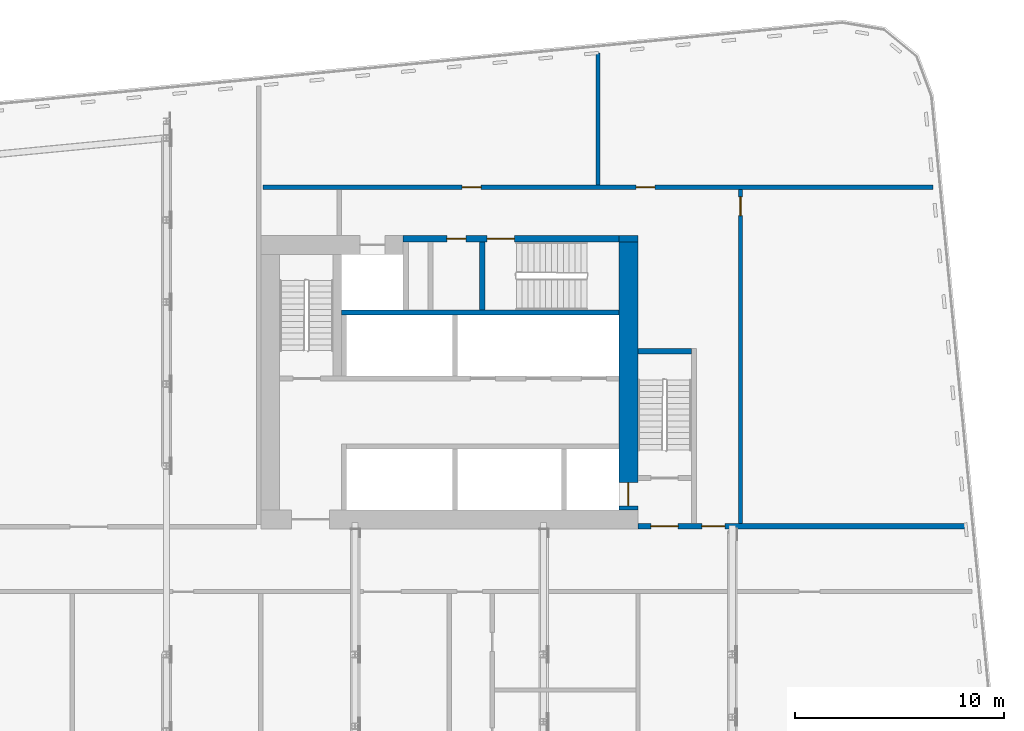
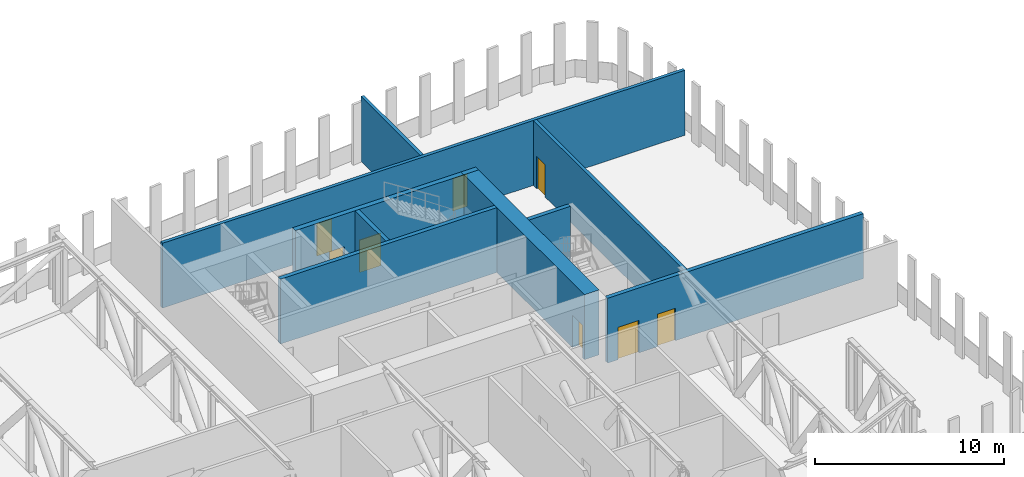
# One storey, part 11 of 22: 10 walls, 8 doors, 8 openings.
"""IFC4 building model written with IfcOpenShell, lengths in metres."""

from ifc_helpers import new_model, si_unit, direction, frame, frame_2d, origin, place, context, subcontext, project, spatial, rectangle, extrude, material, layer, layer_set, type_object, element, fill, save


model = new_model("IFC4")

# Units and contexts
model_context = context("Model", 3, precision=1e-05, world=origin(), true_north=direction((0.0, 1.0)))
body_context = subcontext(model_context, "Body", "Model", "MODEL_VIEW")
ifc_project = project(units=[si_unit("LENGTHUNIT", "METRE"), si_unit("AREAUNIT", "SQUARE_METRE"), si_unit("VOLUMEUNIT", "CUBIC_METRE"), si_unit("PLANEANGLEUNIT", "RADIAN"), si_unit("MASSUNIT", "GRAM", prefix="KILO")], contexts=[model_context])

# Site, building, storey
site_placement = place(None, origin())
site = spatial("IfcSite", under=ifc_project, at=site_placement, CompositionType="ELEMENT")
building_placement = place(site_placement, origin())
building = spatial("IfcBuilding", under=site, at=building_placement, Name="Kajstack Hotel Tower", CompositionType="ELEMENT")
storey_placement = place(building_placement, frame((0.0, 0.0, 150.39990234375)))
storey = spatial("IfcBuildingStorey", under=building, at=storey_placement, Name="L35", CompositionType="ELEMENT", Elevation=150.39990234375)

# Wall
ifc_material_1 = material(Name="Concrete C60/75", Category="concrete")
ifc_layer_1 = layer(ifc_material_1, 0.89990234375)
ifc_layer_set_1 = layer_set([ifc_layer_1], Name="Core wall 900")
wall_type_1 = type_object("IfcWallType", Name="Core wall 900", PredefinedType="SHEAR", material=ifc_layer_set_1)
wall_1_placement = place(storey_placement, frame((30.60009765625, 15.35009765625, 0.0), z_axis=(0.0, 0.0, 1.0), x_axis=(1.0, 0.0, 0.0)))
element("IfcWall", 1, at=wall_1_placement, inside=storey, type_object=wall_type_1, Name="Core wall E RSW", PredefinedType="SHEAR", context=body_context, shape_type="SweptSolid", body=[
    extrude(rectangle(XDim=0.89990234375, YDim=0.300048828125, at=frame_2d((0.449951171875, 0.0))), origin(), (0.0, 0.0, 1.0), 4.2001953125),
])

# Wall, opening, door
wall_2_placement = place(storey_placement, frame((31.050048828125, 2.39990234375, 0.0), z_axis=(0.0, 0.0, 1.0), x_axis=(0.0, 1.0, 0.0)))
wall_2 = element("IfcWall", 2, at=wall_2_placement, inside=storey, type_object=wall_type_1, Name="Core wall E RW", PredefinedType="SHEAR", context=body_context, shape_type="SweptSolid", body=[
    extrude(rectangle(XDim=12.800048828125, YDim=0.89990234375, at=frame_2d((6.39990234375, 0.0))), origin(), (0.0, 0.0, 1.0), 4.2001953125),
])
opening_1_placement = place(wall_2_placement, frame((0.199951171875, 0.0, 0.0)))
opening_1 = element("IfcOpeningElement", 3, at=opening_1_placement, cuts=wall_2, Name="Opening LD-FF2", PredefinedType="OPENING", context=body_context, shape_type="SweptSolid", body=[
    extrude(rectangle(XDim=1.10009765625, YDim=2.10009765625, at=frame_2d((0.550048828125, 1.050048828125))), frame((0.0, 0.4599609375, 0.0), z_axis=(0.0, -1.0, 0.0), x_axis=(1.0, 0.0, 0.0)), (0.0, 0.0, 1.0), 0.919921875),
])
ifc_material_2 = material(Name="Stainless steel", Category="steel")
door_type_1 = type_object("IfcDoorType", Name="Fire-fighting lift landing door 1100", OperationType="SLIDING_TO_LEFT", PredefinedType="DOOR", material=ifc_material_2)
door_1_placement = place(opening_1_placement, origin())
door_1 = element("IfcDoor", 4, at=door_1_placement, inside=storey, type_object=door_type_1, Name="Landing door FF2", OperationType="SLIDING_TO_LEFT", OverallHeight=2.10009765625, OverallWidth=1.10009765625, PredefinedType="DOOR", context=body_context, shape_type="SweptSolid", body=[
    extrude(rectangle(XDim=1.10009765625, YDim=2.10009765625, at=frame_2d((0.550048828125, 1.050048828125))), frame((0.0, 0.02490234375, 0.0), z_axis=(0.0, -1.0, 0.0), x_axis=(1.0, 0.0, 0.0)), (0.0, 0.0, 1.0), 0.050048828125),
])
fill(opening_1, door_1)

# Wall, openings, doors
ifc_material_3 = material(Name="Gypsum board on steel studs, mineral wool", Category="steel")
ifc_layer_2 = layer(ifc_material_3, 0.199951171875)
ifc_layer_set_2 = layer_set([ifc_layer_2], Name="Service partition 200")
wall_type_2 = type_object("IfcWallType", Name="Service partition 200", PredefinedType="PARTITIONING", material=ifc_layer_set_2)
wall_3_placement = place(storey_placement, frame((31.5, 1.625, 0.0), z_axis=(0.0, 0.0, 1.0), x_axis=(1.0, 0.0, 0.0)))
wall_3 = element("IfcWall", 5, at=wall_3_placement, inside=storey, type_object=wall_type_2, Name="Partition E SN", PredefinedType="PARTITIONING", context=body_context, shape_type="SweptSolid", body=[
    extrude(rectangle(XDim=15.650390625, YDim=0.25, at=frame_2d((7.8251953125, 0.0))), origin(), (0.0, 0.0, 1.0), 4.2001953125),
])
opening_2_placement = place(wall_3_placement, frame((0.625, 0.0, 0.0)))
opening_2 = element("IfcOpeningElement", 6, at=opening_2_placement, cuts=wall_3, Name="Opening 35E07", PredefinedType="OPENING", context=body_context, shape_type="SweptSolid", body=[
    extrude(rectangle(XDim=1.300048828125, YDim=2.10009765625, at=frame_2d((0.64990234375, 1.050048828125))), frame((0.0, 0.135009765625, 0.0), z_axis=(0.0, -1.0, 0.0), x_axis=(1.0, 0.0, 0.0)), (0.0, 0.0, 1.0), 0.27001953125),
])
opening_3_placement = place(wall_3_placement, frame((3.050048828125, 0.0, 0.0)))
opening_3 = element("IfcOpeningElement", 7, at=opening_3_placement, cuts=wall_3, Name="Opening 35E09", PredefinedType="OPENING", context=body_context, shape_type="SweptSolid", body=[
    extrude(rectangle(XDim=1.10009765625, YDim=2.10009765625, at=frame_2d((0.550048828125, 1.050048828125))), frame((0.0, 0.135009765625, 0.0), z_axis=(0.0, -1.0, 0.0), x_axis=(1.0, 0.0, 0.0)), (0.0, 0.0, 1.0), 0.27001953125),
])
ifc_material_4 = material(Name="Steel leaf, fire-rated", Category="steel")
door_type_2 = type_object("IfcDoorType", Name="Fire lobby door 1300", OperationType="SINGLE_SWING_LEFT", PredefinedType="DOOR", material=ifc_material_4)
door_2_placement = place(opening_2_placement, origin())
door_2 = element("IfcDoor", 8, at=door_2_placement, inside=storey, type_object=door_type_2, Name="Door 35E07", OperationType="SINGLE_SWING_LEFT", OverallHeight=2.10009765625, OverallWidth=1.300048828125, PredefinedType="DOOR", context=body_context, shape_type="SweptSolid", body=[
    extrude(rectangle(XDim=1.300048828125, YDim=2.10009765625, at=frame_2d((0.64990234375, 1.050048828125))), frame((0.0, 0.02490234375, 0.0), z_axis=(0.0, -1.0, 0.0), x_axis=(1.0, 0.0, 0.0)), (0.0, 0.0, 1.0), 0.050048828125),
])
fill(opening_2, door_2)
ifc_material_5 = material(Name="Timber leaf, fire-rated", Category="wood")
door_type_3 = type_object("IfcDoorType", Name="Service corridor door 1100", OperationType="SINGLE_SWING_LEFT", PredefinedType="DOOR", material=ifc_material_5)
door_3_placement = place(opening_3_placement, origin())
door_3 = element("IfcDoor", 9, at=door_3_placement, inside=storey, type_object=door_type_3, Name="Door 35E09", OperationType="SINGLE_SWING_LEFT", OverallHeight=2.10009765625, OverallWidth=1.10009765625, PredefinedType="DOOR", context=body_context, shape_type="SweptSolid", body=[
    extrude(rectangle(XDim=1.10009765625, YDim=2.10009765625, at=frame_2d((0.550048828125, 1.050048828125))), frame((0.0, 0.02490234375, 0.0), z_axis=(0.0, -1.0, 0.0), x_axis=(1.0, 0.0, 0.0)), (0.0, 0.0, 1.0), 0.050048828125),
])
fill(opening_3, door_3)

# Wall, opening, door
wall_4_placement = place(storey_placement, frame((36.39990234375, 1.75, 0.0), z_axis=(0.0, 0.0, 1.0), x_axis=(0.0, 1.0, 0.0)))
wall_4 = element("IfcWall", 10, at=wall_4_placement, inside=storey, type_object=wall_type_2, Name="Partition E WRE", PredefinedType="PARTITIONING", context=body_context, shape_type="SweptSolid", body=[
    extrude(rectangle(XDim=15.949951171875, YDim=0.199951171875, at=frame_2d((7.97509765625, 0.0))), origin(), (0.0, 0.0, 1.0), 4.2001953125),
])
opening_4_placement = place(wall_4_placement, frame((14.699951171875, 0.0, 0.0)))
opening_4 = element("IfcOpeningElement", 11, at=opening_4_placement, cuts=wall_4, Name="Opening 35E15", PredefinedType="OPENING", context=body_context, shape_type="SweptSolid", body=[
    extrude(rectangle(XDim=0.89990234375, YDim=2.10009765625, at=frame_2d((0.449951171875, 1.050048828125))), frame((0.0, 0.10986328125, 0.0), z_axis=(0.0, -1.0, 0.0), x_axis=(1.0, 0.0, 0.0)), (0.0, 0.0, 1.0), 0.219970703125),
])
door_type_4 = type_object("IfcDoorType", Name="Service door 900", OperationType="SINGLE_SWING_LEFT", PredefinedType="DOOR", material=ifc_material_5)
door_4_placement = place(opening_4_placement, origin())
door_4 = element("IfcDoor", 12, at=door_4_placement, inside=storey, type_object=door_type_4, Name="Door 35E15", OperationType="SINGLE_SWING_RIGHT", OverallHeight=2.10009765625, OverallWidth=0.89990234375, PredefinedType="DOOR", context=body_context, shape_type="SweptSolid", body=[
    extrude(rectangle(XDim=0.89990234375, YDim=2.10009765625, at=frame_2d((0.449951171875, 1.050048828125))), frame((0.0, 0.02490234375, 0.0), z_axis=(0.0, -1.0, 0.0), x_axis=(1.0, 0.0, 0.0)), (0.0, 0.0, 1.0), 0.050048828125),
])
fill(opening_4, door_4)

# Wall, openings, doors
wall_5_placement = place(storey_placement, frame((13.60009765625, 17.800048828125, 0.0), z_axis=(0.0, 0.0, 1.0), x_axis=(1.0, 0.0, 0.0)))
wall_5 = element("IfcWall", 13, at=wall_5_placement, inside=storey, type_object=wall_type_2, Name="Partition E SLN", PredefinedType="PARTITIONING", context=body_context, shape_type="SweptSolid", body=[
    extrude(rectangle(XDim=31.992919921875, YDim=0.199951171875, at=frame_2d((15.99658203125, 0.0))), origin(), (0.0, 0.0, 1.0), 4.2001953125),
])
opening_5_placement = place(wall_5_placement, frame((17.8125, 0.0, 0.0)))
opening_5 = element("IfcOpeningElement", 14, at=opening_5_placement, cuts=wall_5, Name="Opening 35E13", PredefinedType="OPENING", context=body_context, shape_type="SweptSolid", body=[
    extrude(rectangle(XDim=0.89990234375, YDim=2.10009765625, at=frame_2d((0.449951171875, 1.050048828125))), frame((0.0, 0.10986328125, 0.0), z_axis=(0.0, -1.0, 0.0), x_axis=(1.0, 0.0, 0.0)), (0.0, 0.0, 1.0), 0.219970703125),
])
opening_6_placement = place(wall_5_placement, frame((9.512451171875, 0.0, 0.0)))
opening_6 = element("IfcOpeningElement", 15, at=opening_6_placement, cuts=wall_5, Name="Opening 35E14", PredefinedType="OPENING", context=body_context, shape_type="SweptSolid", body=[
    extrude(rectangle(XDim=0.89990234375, YDim=2.10009765625, at=frame_2d((0.449951171875, 1.050048828125))), frame((0.0, 0.10986328125, 0.0), z_axis=(0.0, -1.0, 0.0), x_axis=(1.0, 0.0, 0.0)), (0.0, 0.0, 1.0), 0.219970703125),
])
door_5_placement = place(opening_5_placement, origin())
door_5 = element("IfcDoor", 16, at=door_5_placement, inside=storey, type_object=door_type_4, Name="Door 35E13", OperationType="SINGLE_SWING_LEFT", OverallHeight=2.10009765625, OverallWidth=0.89990234375, PredefinedType="DOOR", context=body_context, shape_type="SweptSolid", body=[
    extrude(rectangle(XDim=0.89990234375, YDim=2.10009765625, at=frame_2d((0.449951171875, 1.050048828125))), frame((0.0, 0.02490234375, 0.0), z_axis=(0.0, -1.0, 0.0), x_axis=(1.0, 0.0, 0.0)), (0.0, 0.0, 1.0), 0.050048828125),
])
fill(opening_5, door_5)
door_6_placement = place(opening_6_placement, origin())
door_6 = element("IfcDoor", 17, at=door_6_placement, inside=storey, type_object=door_type_4, Name="Door 35E14", OperationType="SINGLE_SWING_LEFT", OverallHeight=2.10009765625, OverallWidth=0.89990234375, PredefinedType="DOOR", context=body_context, shape_type="SweptSolid", body=[
    extrude(rectangle(XDim=0.89990234375, YDim=2.10009765625, at=frame_2d((0.449951171875, 1.050048828125))), frame((0.0, 0.02490234375, 0.0), z_axis=(0.0, -1.0, 0.0), x_axis=(1.0, 0.0, 0.0)), (0.0, 0.0, 1.0), 0.050048828125),
])
fill(opening_6, door_6)

# Wall
wall_6_placement = place(storey_placement, frame((29.60009765625, 17.89990234375, 0.0), z_axis=(0.0, 0.0, 1.0), x_axis=(0.0, 1.0, 0.0)))
element("IfcWall", 18, at=wall_6_placement, inside=storey, type_object=wall_type_2, Name="Partition E SLP0", PredefinedType="PARTITIONING", context=body_context, shape_type="SweptSolid", body=[
    extrude(rectangle(XDim=6.3134765625, YDim=0.199951171875, at=frame_2d((3.15673828125, 0.0))), origin(), (0.0, 0.0, 1.0), 4.2001953125),
])

# Wall, openings, doors
ifc_material_6 = material(Name="Concrete C50/60", Category="concrete")
ifc_layer_3 = layer(ifc_material_6, 0.25)
ifc_layer_set_3 = layer_set([ifc_layer_3], Name="Shaft wall 250")
wall_type_3 = type_object("IfcWallType", Name="Shaft wall 250", PredefinedType="SHEAR", material=ifc_layer_set_3)
wall_7_placement = place(storey_placement, frame((20.300048828125, 15.35009765625, 0.0), z_axis=(0.0, 0.0, 1.0), x_axis=(1.0, 0.0, 0.0)))
wall_7 = element("IfcWall", 19, at=wall_7_placement, inside=storey, type_object=wall_type_3, Name="Core wall E RSS", PredefinedType="SHEAR", context=body_context, shape_type="SweptSolid", body=[
    extrude(rectangle(XDim=10.300048828125, YDim=0.300048828125, at=frame_2d((5.14990234375, 0.0))), origin(), (0.0, 0.0, 1.0), 4.2001953125),
])
opening_7_placement = place(wall_7_placement, frame((4.0, 0.0, 0.0)))
opening_7 = element("IfcOpeningElement", 20, at=opening_7_placement, cuts=wall_7, Name="Opening 35E11", PredefinedType="OPENING", context=body_context, shape_type="SweptSolid", body=[
    extrude(rectangle(XDim=1.300048828125, YDim=2.10009765625, at=frame_2d((0.64990234375, 1.050048828125))), frame((0.0, 0.159912109375, 0.0), z_axis=(0.0, -1.0, 0.0), x_axis=(1.0, 0.0, 0.0)), (0.0, 0.0, 1.0), 0.320068359375),
])
opening_8_placement = place(wall_7_placement, frame((2.08740234375, 0.0, 0.0)))
opening_8 = element("IfcOpeningElement", 21, at=opening_8_placement, cuts=wall_7, Name="Opening 35E12", PredefinedType="OPENING", context=body_context, shape_type="SweptSolid", body=[
    extrude(rectangle(XDim=0.89990234375, YDim=2.10009765625, at=frame_2d((0.449951171875, 1.050048828125))), frame((0.0, 0.159912109375, 0.0), z_axis=(0.0, -1.0, 0.0), x_axis=(1.0, 0.0, 0.0)), (0.0, 0.0, 1.0), 0.320068359375),
])
door_7_placement = place(opening_8_placement, origin())
door_7 = element("IfcDoor", 22, at=door_7_placement, inside=storey, type_object=door_type_4, Name="Door 35E12", OperationType="SINGLE_SWING_RIGHT", OverallHeight=2.10009765625, OverallWidth=0.89990234375, PredefinedType="DOOR", context=body_context, shape_type="SweptSolid", body=[
    extrude(rectangle(XDim=0.89990234375, YDim=2.10009765625, at=frame_2d((0.449951171875, 1.050048828125))), frame((0.0, 0.02490234375, 0.0), z_axis=(0.0, -1.0, 0.0), x_axis=(1.0, 0.0, 0.0)), (0.0, 0.0, 1.0), 0.050048828125),
])
fill(opening_8, door_7)
door_type_5 = type_object("IfcDoorType", Name="Stair door 1300", OperationType="SINGLE_SWING_LEFT", PredefinedType="DOOR", material=ifc_material_4)
door_8_placement = place(opening_7_placement, origin())
door_8 = element("IfcDoor", 23, at=door_8_placement, inside=storey, type_object=door_type_5, Name="Door 35E11", OperationType="SINGLE_SWING_LEFT", OverallHeight=2.10009765625, OverallWidth=1.300048828125, PredefinedType="DOOR", context=body_context, shape_type="SweptSolid", body=[
    extrude(rectangle(XDim=1.300048828125, YDim=2.10009765625, at=frame_2d((0.64990234375, 1.050048828125))), frame((0.0, 0.02490234375, 0.0), z_axis=(0.0, -1.0, 0.0), x_axis=(1.0, 0.0, 0.0)), (0.0, 0.0, 1.0), 0.050048828125),
])
fill(opening_7, door_8)

# Walls
wall_8_placement = place(storey_placement, frame((17.35009765625, 11.824951171875, 0.0), z_axis=(0.0, 0.0, 1.0), x_axis=(1.0, 0.0, 0.0)))
element("IfcWall", 24, at=wall_8_placement, inside=storey, type_object=wall_type_3, Name="Core wall E RB", PredefinedType="SHEAR", context=body_context, shape_type="SweptSolid", body=[
    extrude(rectangle(XDim=13.25, YDim=0.25, at=frame_2d((6.625, 0.0))), origin(), (0.0, 0.0, 1.0), 4.2001953125),
])
ifc_material_7 = material(Name="Concrete C40/50", Category="concrete")
ifc_layer_4 = layer(ifc_material_7, 0.25)
ifc_layer_set_4 = layer_set([ifc_layer_4], Name="Stair enclosure wall 250")
wall_type_4 = type_object("IfcWallType", Name="Stair enclosure wall 250", PredefinedType="SHEAR", material=ifc_layer_set_4)
wall_9_placement = place(storey_placement, frame((31.5, 9.97509765625, 0.0), z_axis=(0.0, 0.0, 1.0), x_axis=(1.0, 0.0, 0.0)))
element("IfcWall", 25, at=wall_9_placement, inside=storey, type_object=wall_type_4, Name="Core wall E W1S", PredefinedType="SHEAR", context=body_context, shape_type="SweptSolid", body=[
    extrude(rectangle(XDim=2.550048828125, YDim=0.25, at=frame_2d((1.27490234375, 0.0))), origin(), (0.0, 0.0, 1.0), 4.2001953125),
])
ifc_layer_5 = layer(ifc_material_6, 0.35009765625)
ifc_layer_set_5 = layer_set([ifc_layer_5], Name="Stair enclosure wall 350")
wall_type_5 = type_object("IfcWallType", Name="Stair enclosure wall 350", PredefinedType="SHEAR", material=ifc_layer_set_5)
wall_10_placement = place(storey_placement, frame((24.074951171875, 11.949951171875, 0.0), z_axis=(0.0, 0.0, 1.0), x_axis=(0.0, 1.0, 0.0)))
element("IfcWall", 26, at=wall_10_placement, inside=storey, type_object=wall_type_5, Name="Core wall E W3E", PredefinedType="SHEAR", context=body_context, shape_type="SweptSolid", body=[
    extrude(rectangle(XDim=3.25, YDim=0.25, at=frame_2d((1.625, 0.0))), origin(), (0.0, 0.0, 1.0), 4.2001953125),
])

save(model, "model.ifc")
